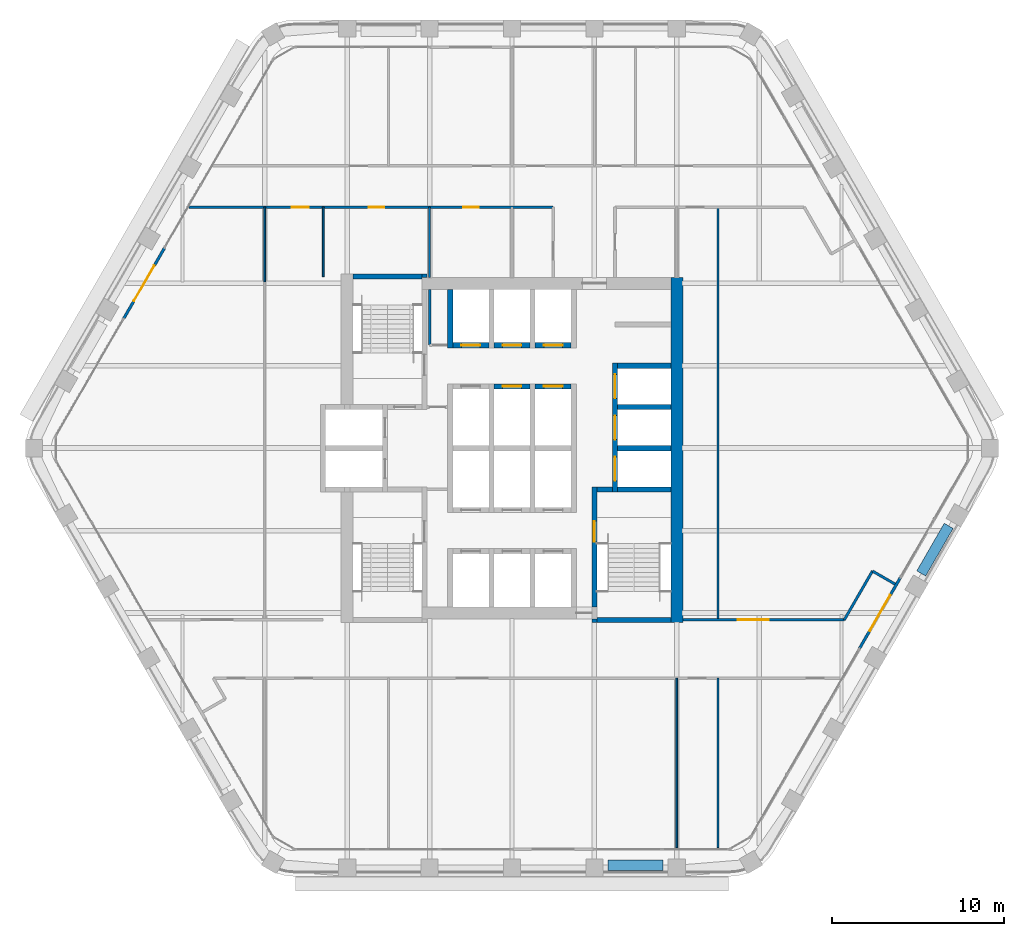
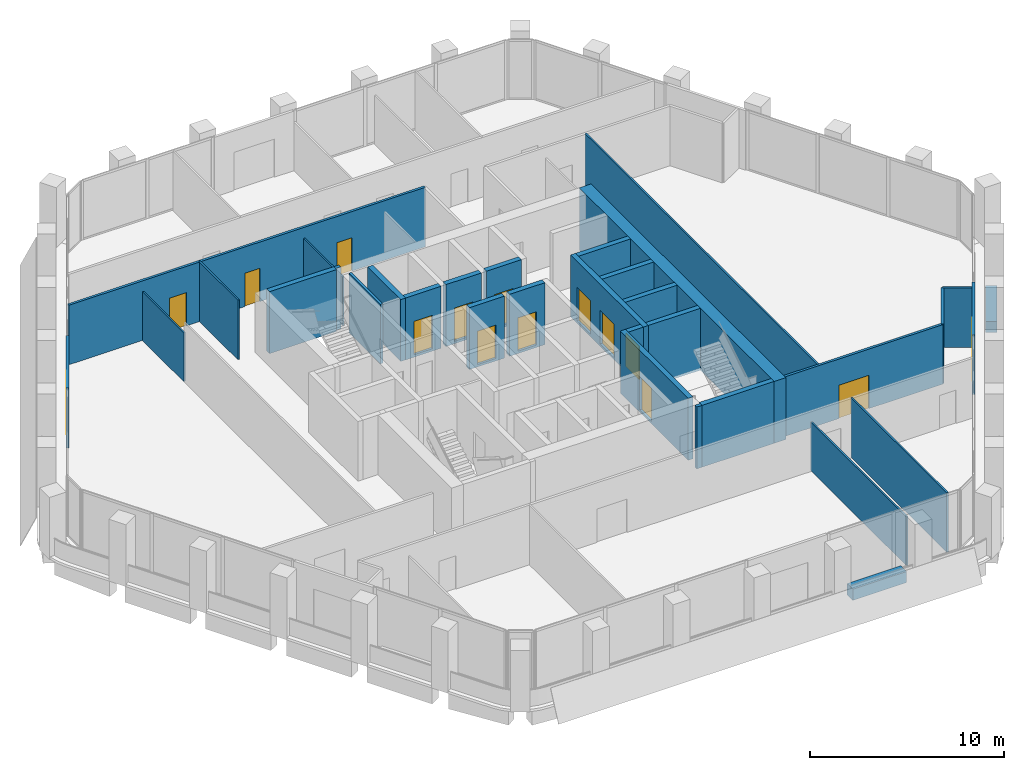
# One storey, part 10 of 15: 33 walls, 15 doors, 15 openings.
"""IFC4 building model written with IfcOpenShell, lengths in metres."""

from ifc_helpers import new_model, si_unit, direction, frame, frame_2d, origin, place, context, subcontext, project, spatial, rectangle, extrude, material, layer, layer_set, type_object, element, fill, save


model = new_model("IFC4")

# Units and contexts
model_context = context("Model", 3, precision=1e-05, world=origin(), true_north=direction((0.0, 1.0)))
body_context = subcontext(model_context, "Body", "Model", "MODEL_VIEW")
ifc_project = project(units=[si_unit("LENGTHUNIT", "METRE"), si_unit("AREAUNIT", "SQUARE_METRE"), si_unit("VOLUMEUNIT", "CUBIC_METRE"), si_unit("PLANEANGLEUNIT", "RADIAN"), si_unit("MASSUNIT", "GRAM", prefix="KILO")], contexts=[model_context])

# Site, building, storey
site_placement = place(None, origin())
site = spatial("IfcSite", under=ifc_project, at=site_placement, CompositionType="ELEMENT")
building_placement = place(site_placement, origin())
building = spatial("IfcBuilding", under=site, at=building_placement, Name="Kolab Exchange Tower", CompositionType="ELEMENT")
storey_placement = place(building_placement, frame((0.0, 0.0, 154.39990234375)))
storey = spatial("IfcBuildingStorey", under=building, at=storey_placement, Name="L31", CompositionType="ELEMENT", Elevation=154.39990234375)

# Wall
ifc_material_1 = material(Name="Concrete C60/75", Category="concrete")
ifc_layer_1 = layer(ifc_material_1, 0.699951171875)
ifc_layer_set_1 = layer_set([ifc_layer_1], Name="Concrete C60/75")
wall_type_1 = type_object("IfcWallType", Name="CORE WALL 700 C60/75", PredefinedType="SHEAR", material=ifc_layer_set_1)
wall_1_placement = place(storey_placement, frame((9.60009765625, -10.14990234375, -0.14990234375), z_axis=(0.0, 0.0, 1.0), x_axis=(0.0, 1.0, 0.0)))
element("IfcWall", 1, at=wall_1_placement, inside=storey, type_object=wall_type_1, Name="wall/L31/core/058", PredefinedType="SHEAR", context=body_context, shape_type="SweptSolid", body=[
    extrude(rectangle(XDim=20.099853515625, YDim=0.699951171875, at=frame_2d((10.0498046875, 0.0))), origin(), (0.0, 0.0, 1.0), 3.89990234375),
])

# Wall, opening, door
ifc_material_2 = material(Name="Aluminium EN AW-6063 T6", Category="aluminium")
ifc_layer_2 = layer(ifc_material_2, 0.159912109375)
ifc_layer_set_2 = layer_set([ifc_layer_2], Name="Aluminium EN AW-6063 T6")
wall_type_2 = type_object("IfcWallType", Name="DOOR SURROUND WALL 160 ALUMINIUM FRAMED", PredefinedType="PARTITIONING", material=ifc_layer_set_2)
wall_2_placement = place(storey_placement, frame((22.61669921875, -7.5498046875, 0.0), z_axis=(0.0, 0.0, 1.0), x_axis=(-0.5000167099, -0.866015756104, 0.0)))
wall_2 = element("IfcWall", 2, at=wall_2_placement, inside=storey, type_object=wall_type_2, Name="Door surround wall", PredefinedType="PARTITIONING", context=body_context, shape_type="SweptSolid", body=[
    extrude(rectangle(XDim=4.739990234375, YDim=0.159912109375, at=frame_2d((2.3701171875, 0.0))), origin(), (0.0, 0.0, 1.0), 3.75),
])
opening_1_placement = place(wall_2_placement, frame((1.169921875, 0.0, 0.0)))
opening_1 = element("IfcOpeningElement", 3, at=opening_1_placement, cuts=wall_2, Name="Opening GD1-066", PredefinedType="OPENING", context=body_context, shape_type="SweptSolid", body=[
    extrude(rectangle(XDim=2.39990234375, YDim=2.39990234375, at=frame_2d((1.199951171875, 1.199951171875))), frame((0.0, 0.08984375, 0.0), z_axis=(0.0, -1.0, 0.0), x_axis=(1.0, 0.0, 0.0)), (0.0, 0.0, 1.0), 0.179931640625),
])
door_type_1 = type_object("IfcDoorType", Name="LOGGIA SLIDING GLASS DOOR 2400 X 2400", OperationType="DOUBLE_DOOR_SINGLE_SWING", PredefinedType="DOOR", material=ifc_material_2)
door_1_placement = place(opening_1_placement, origin())
door_1 = element("IfcDoor", 4, at=door_1_placement, inside=storey, type_object=door_type_1, Name="Loggia door", OperationType="DOUBLE_DOOR_SLIDING", OverallHeight=2.39990234375, OverallWidth=2.39990234375, PredefinedType="DOOR", context=body_context, shape_type="SweptSolid", body=[
    extrude(rectangle(XDim=2.39990234375, YDim=2.39990234375, at=frame_2d((1.199951171875, 1.199951171875))), frame((0.0, 0.02490234375, 0.0), z_axis=(0.0, -1.0, 0.0), x_axis=(1.0, 0.0, 0.0)), (0.0, 0.0, 1.0), 0.050048828125),
])
fill(opening_1, door_1)

wall_3_placement = place(storey_placement, frame((-22.61669921875, 7.5498046875, 0.0), z_axis=(0.0, 0.0, 1.0), x_axis=(0.5000167099, 0.866015756104, 0.0)))
wall_3 = element("IfcWall", 5, at=wall_3_placement, inside=storey, type_object=wall_type_2, Name="Door surround wall", PredefinedType="PARTITIONING", context=body_context, shape_type="SweptSolid", body=[
    extrude(rectangle(XDim=4.739990234375, YDim=0.159912109375, at=frame_2d((2.3701171875, 0.0))), origin(), (0.0, 0.0, 1.0), 3.75),
])
opening_2_placement = place(wall_3_placement, frame((1.169921875, 0.0, 0.0)))
opening_2 = element("IfcOpeningElement", 6, at=opening_2_placement, cuts=wall_3, Name="Opening GD1-069", PredefinedType="OPENING", context=body_context, shape_type="SweptSolid", body=[
    extrude(rectangle(XDim=2.39990234375, YDim=2.39990234375, at=frame_2d((1.199951171875, 1.199951171875))), frame((0.0, 0.08984375, 0.0), z_axis=(0.0, -1.0, 0.0), x_axis=(1.0, 0.0, 0.0)), (0.0, 0.0, 1.0), 0.179931640625),
])
door_2_placement = place(opening_2_placement, origin())
door_2 = element("IfcDoor", 7, at=door_2_placement, inside=storey, type_object=door_type_1, Name="Loggia door", OperationType="DOUBLE_DOOR_SLIDING", OverallHeight=2.39990234375, OverallWidth=2.39990234375, PredefinedType="DOOR", context=body_context, shape_type="SweptSolid", body=[
    extrude(rectangle(XDim=2.39990234375, YDim=2.39990234375, at=frame_2d((1.199951171875, 1.199951171875))), frame((0.0, 0.02490234375, 0.0), z_axis=(0.0, -1.0, 0.0), x_axis=(1.0, 0.0, 0.0)), (0.0, 0.0, 1.0), 0.050048828125),
])
fill(opening_2, door_2)

# Walls
ifc_material_3 = material(Name="Concrete C50/60", Category="concrete")
ifc_layer_3 = layer(ifc_material_3, 0.300048828125)
ifc_layer_set_3 = layer_set([ifc_layer_3], Name="Concrete C50/60")
wall_type_3 = type_object("IfcWallType", Name="LIFT SHAFT WALL 300 C50/60", PredefinedType="STANDARD", material=ifc_layer_set_3)
for number, where, z_axis, x_axis, name in (
    (8, (6.14990234375, 0.0, -0.14990234375), (0.0, 0.0, 1.0), (1.0, 0.0, 0.0), "wall/L31/core/018"),
    (9, (6.14990234375, 2.39990234375, -0.14990234375), (0.0, 0.0, 1.0), (1.0, 0.0, 0.0), "wall/L31/core/022"),
):
    element("IfcWall", number, at=place(storey_placement, frame(where, z_axis=z_axis, x_axis=x_axis)), inside=storey, type_object=wall_type_3, Name=name, PredefinedType="STANDARD", context=body_context, shape_type="SweptSolid", body=[
        extrude(rectangle(XDim=3.10009765625, YDim=0.300048828125, at=frame_2d((1.550048828125, 0.0))), origin(), (0.0, 0.0, 1.0), 3.89990234375),
    ])

# Wall, opening, door
wall_4_placement = place(storey_placement, frame((-1.050048828125, 3.60009765625, -0.14990234375), z_axis=(0.0, 0.0, 1.0), x_axis=(1.0, 0.0, 0.0)))
wall_4 = element("IfcWall", 10, at=wall_4_placement, inside=storey, type_object=wall_type_3, Name="wall/L31/core/024", PredefinedType="STANDARD", context=body_context, shape_type="SweptSolid", body=[
    extrude(rectangle(XDim=2.10009765625, YDim=0.300048828125, at=frame_2d((1.050048828125, 0.0))), origin(), (0.0, 0.0, 1.0), 3.89990234375),
])
opening_3_placement = place(wall_4_placement, frame((0.5, 0.0, 0.14990234375)))
opening_3 = element("IfcOpeningElement", 11, at=opening_3_placement, cuts=wall_4, Name="Opening LD1-116", PredefinedType="OPENING", context=body_context, shape_type="SweptSolid", body=[
    extrude(rectangle(XDim=1.10009765625, YDim=2.10009765625, at=frame_2d((0.550048828125, 1.050048828125))), frame((0.0, 0.16015625, 0.0), z_axis=(0.0, -1.0, 0.0), x_axis=(1.0, 0.0, 0.0)), (0.0, 0.0, 1.0), 0.320068359375),
])
ifc_material_4 = material(Name="Stainless steel 316", Category="steel")
door_type_2 = type_object("IfcDoorType", Name="LANDING DOOR 1100 PASSENGER", OperationType="DOUBLE_DOOR_SLIDING", PredefinedType="DOOR", material=ifc_material_4)
door_3_placement = place(opening_3_placement, origin())
door_3 = element("IfcDoor", 12, at=door_3_placement, inside=storey, type_object=door_type_2, Name="Landing door HR5", OperationType="DOUBLE_DOOR_SLIDING", OverallHeight=2.10009765625, OverallWidth=1.10009765625, PredefinedType="DOOR", context=body_context, shape_type="SweptSolid", body=[
    extrude(rectangle(XDim=1.10009765625, YDim=2.10009765625, at=frame_2d((0.550048828125, 1.050048828125))), frame((0.0, 0.02490234375, 0.0), z_axis=(0.0, -1.0, 0.0), x_axis=(1.0, 0.0, 0.0)), (0.0, 0.0, 1.0), 0.050048828125),
])
fill(opening_3, door_3)

wall_5_placement = place(storey_placement, frame((1.35009765625, 3.60009765625, -0.14990234375), z_axis=(0.0, 0.0, 1.0), x_axis=(1.0, 0.0, 0.0)))
wall_5 = element("IfcWall", 13, at=wall_5_placement, inside=storey, type_object=wall_type_3, Name="wall/L31/core/025", PredefinedType="STANDARD", context=body_context, shape_type="SweptSolid", body=[
    extrude(rectangle(XDim=2.099853515625, YDim=0.300048828125, at=frame_2d((1.0498046875, 0.0))), origin(), (0.0, 0.0, 1.0), 3.89990234375),
])
opening_4_placement = place(wall_5_placement, frame((0.5, 0.0, 0.14990234375)))
opening_4 = element("IfcOpeningElement", 14, at=opening_4_placement, cuts=wall_5, Name="Opening LD1-117", PredefinedType="OPENING", context=body_context, shape_type="SweptSolid", body=[
    extrude(rectangle(XDim=1.10009765625, YDim=2.10009765625, at=frame_2d((0.550048828125, 1.050048828125))), frame((0.0, 0.16015625, 0.0), z_axis=(0.0, -1.0, 0.0), x_axis=(1.0, 0.0, 0.0)), (0.0, 0.0, 1.0), 0.320068359375),
])
door_4_placement = place(opening_4_placement, origin())
door_4 = element("IfcDoor", 15, at=door_4_placement, inside=storey, type_object=door_type_2, Name="Landing door HR6", OperationType="DOUBLE_DOOR_SLIDING", OverallHeight=2.10009765625, OverallWidth=1.10009765625, PredefinedType="DOOR", context=body_context, shape_type="SweptSolid", body=[
    extrude(rectangle(XDim=1.10009765625, YDim=2.10009765625, at=frame_2d((0.550048828125, 1.050048828125))), frame((0.0, 0.02490234375, 0.0), z_axis=(0.0, -1.0, 0.0), x_axis=(1.0, 0.0, 0.0)), (0.0, 0.0, 1.0), 0.050048828125),
])
fill(opening_4, door_4)

# Wall
wall_6_placement = place(storey_placement, frame((6.14990234375, 4.800048828125, -0.14990234375), z_axis=(0.0, 0.0, 1.0), x_axis=(1.0, 0.0, 0.0)))
element("IfcWall", 16, at=wall_6_placement, inside=storey, type_object=wall_type_3, Name="wall/L31/core/026", PredefinedType="STANDARD", context=body_context, shape_type="SweptSolid", body=[
    extrude(rectangle(XDim=3.10009765625, YDim=0.300048828125, at=frame_2d((1.550048828125, 0.0))), origin(), (0.0, 0.0, 1.0), 3.89990234375),
])

# Wall, opening, door
wall_7_placement = place(storey_placement, frame((-3.449951171875, 6.0, -0.14990234375), z_axis=(0.0, 0.0, 1.0), x_axis=(1.0, 0.0, 0.0)))
wall_7 = element("IfcWall", 17, at=wall_7_placement, inside=storey, type_object=wall_type_3, Name="wall/L31/core/027", PredefinedType="STANDARD", context=body_context, shape_type="SweptSolid", body=[
    extrude(rectangle(XDim=2.099853515625, YDim=0.300048828125, at=frame_2d((1.0498046875, 0.0))), origin(), (0.0, 0.0, 1.0), 3.89990234375),
])
opening_5_placement = place(wall_7_placement, frame((0.5, 0.0, 0.14990234375)))
opening_5 = element("IfcOpeningElement", 18, at=opening_5_placement, cuts=wall_7, Name="Opening LD1-109", PredefinedType="OPENING", context=body_context, shape_type="SweptSolid", body=[
    extrude(rectangle(XDim=1.10009765625, YDim=2.10009765625, at=frame_2d((0.550048828125, 1.050048828125))), frame((0.0, 0.16015625, 0.0), z_axis=(0.0, -1.0, 0.0), x_axis=(1.0, 0.0, 0.0)), (0.0, 0.0, 1.0), 0.320068359375),
])
door_5_placement = place(opening_5_placement, origin())
door_5 = element("IfcDoor", 19, at=door_5_placement, inside=storey, type_object=door_type_2, Name="Landing door HR1", OperationType="DOUBLE_DOOR_SLIDING", OverallHeight=2.10009765625, OverallWidth=1.10009765625, PredefinedType="DOOR", context=body_context, shape_type="SweptSolid", body=[
    extrude(rectangle(XDim=1.10009765625, YDim=2.10009765625, at=frame_2d((0.550048828125, 1.050048828125))), frame((0.0, 0.02490234375, 0.0), z_axis=(0.0, -1.0, 0.0), x_axis=(1.0, 0.0, 0.0)), (0.0, 0.0, 1.0), 0.050048828125),
])
fill(opening_5, door_5)

wall_8_placement = place(storey_placement, frame((-1.050048828125, 6.0, -0.14990234375), z_axis=(0.0, 0.0, 1.0), x_axis=(1.0, 0.0, 0.0)))
wall_8 = element("IfcWall", 20, at=wall_8_placement, inside=storey, type_object=wall_type_3, Name="wall/L31/core/028", PredefinedType="STANDARD", context=body_context, shape_type="SweptSolid", body=[
    extrude(rectangle(XDim=2.10009765625, YDim=0.300048828125, at=frame_2d((1.050048828125, 0.0))), origin(), (0.0, 0.0, 1.0), 3.89990234375),
])
opening_6_placement = place(wall_8_placement, frame((0.5, 0.0, 0.14990234375)))
opening_6 = element("IfcOpeningElement", 21, at=opening_6_placement, cuts=wall_8, Name="Opening LD1-113", PredefinedType="OPENING", context=body_context, shape_type="SweptSolid", body=[
    extrude(rectangle(XDim=1.10009765625, YDim=2.10009765625, at=frame_2d((0.550048828125, 1.050048828125))), frame((0.0, 0.16015625, 0.0), z_axis=(0.0, -1.0, 0.0), x_axis=(1.0, 0.0, 0.0)), (0.0, 0.0, 1.0), 0.320068359375),
])
door_6_placement = place(opening_6_placement, origin())
door_6 = element("IfcDoor", 22, at=door_6_placement, inside=storey, type_object=door_type_2, Name="Landing door HR2", OperationType="DOUBLE_DOOR_SLIDING", OverallHeight=2.10009765625, OverallWidth=1.10009765625, PredefinedType="DOOR", context=body_context, shape_type="SweptSolid", body=[
    extrude(rectangle(XDim=1.10009765625, YDim=2.10009765625, at=frame_2d((0.550048828125, 1.050048828125))), frame((0.0, 0.02490234375, 0.0), z_axis=(0.0, -1.0, 0.0), x_axis=(1.0, 0.0, 0.0)), (0.0, 0.0, 1.0), 0.050048828125),
])
fill(opening_6, door_6)

wall_9_placement = place(storey_placement, frame((1.35009765625, 6.0, -0.14990234375), z_axis=(0.0, 0.0, 1.0), x_axis=(1.0, 0.0, 0.0)))
wall_9 = element("IfcWall", 23, at=wall_9_placement, inside=storey, type_object=wall_type_3, Name="wall/L31/core/029", PredefinedType="STANDARD", context=body_context, shape_type="SweptSolid", body=[
    extrude(rectangle(XDim=2.099853515625, YDim=0.300048828125, at=frame_2d((1.0498046875, 0.0))), origin(), (0.0, 0.0, 1.0), 3.89990234375),
])
opening_7_placement = place(wall_9_placement, frame((0.5, 0.0, 0.14990234375)))
opening_7 = element("IfcOpeningElement", 24, at=opening_7_placement, cuts=wall_9, Name="Opening LD1-114", PredefinedType="OPENING", context=body_context, shape_type="SweptSolid", body=[
    extrude(rectangle(XDim=1.10009765625, YDim=2.10009765625, at=frame_2d((0.550048828125, 1.050048828125))), frame((0.0, 0.16015625, 0.0), z_axis=(0.0, -1.0, 0.0), x_axis=(1.0, 0.0, 0.0)), (0.0, 0.0, 1.0), 0.320068359375),
])
door_7_placement = place(opening_7_placement, origin())
door_7 = element("IfcDoor", 25, at=door_7_placement, inside=storey, type_object=door_type_2, Name="Landing door HR3", OperationType="DOUBLE_DOOR_SLIDING", OverallHeight=2.10009765625, OverallWidth=1.10009765625, PredefinedType="DOOR", context=body_context, shape_type="SweptSolid", body=[
    extrude(rectangle(XDim=1.10009765625, YDim=2.10009765625, at=frame_2d((0.550048828125, 1.050048828125))), frame((0.0, 0.02490234375, 0.0), z_axis=(0.0, -1.0, 0.0), x_axis=(1.0, 0.0, 0.0)), (0.0, 0.0, 1.0), 0.050048828125),
])
fill(opening_7, door_7)

# Wall
wall_10_placement = place(storey_placement, frame((-3.60009765625, 5.85009765625, -0.14990234375), z_axis=(0.0, 0.0, 1.0), x_axis=(0.0, 1.0, 0.0)))
element("IfcWall", 26, at=wall_10_placement, inside=storey, type_object=wall_type_3, Name="wall/L31/core/045", PredefinedType="STANDARD", context=body_context, shape_type="SweptSolid", body=[
    extrude(rectangle(XDim=3.39990234375, YDim=0.300048828125, at=frame_2d((1.699951171875, 0.0))), origin(), (0.0, 0.0, 1.0), 3.89990234375),
])

# Wall, openings, doors
wall_11_placement = place(storey_placement, frame((6.0, -2.550048828125, -0.14990234375), z_axis=(0.0, 0.0, 1.0), x_axis=(0.0, 1.0, 0.0)))
wall_11 = element("IfcWall", 27, at=wall_11_placement, inside=storey, type_object=wall_type_3, Name="wall/L31/core/057", PredefinedType="STANDARD", context=body_context, shape_type="SweptSolid", body=[
    extrude(rectangle(XDim=7.5, YDim=0.300048828125, at=frame_2d((3.75, 0.0))), origin(), (0.0, 0.0, 1.0), 3.89990234375),
])
opening_8_placement = place(wall_11_placement, frame((0.64990234375, 0.0, 0.14990234375)))
opening_8 = element("IfcOpeningElement", 28, at=opening_8_placement, cuts=wall_11, Name="Opening LD3-037", PredefinedType="OPENING", context=body_context, shape_type="SweptSolid", body=[
    extrude(rectangle(XDim=1.39990234375, YDim=2.10009765625, at=frame_2d((0.699951171875, 1.050048828125))), frame((0.0, 0.16015625, 0.0), z_axis=(0.0, -1.0, 0.0), x_axis=(1.0, 0.0, 0.0)), (0.0, 0.0, 1.0), 0.320068359375),
])
opening_9_placement = place(wall_11_placement, frame((3.050048828125, 0.0, 0.14990234375)))
opening_9 = element("IfcOpeningElement", 29, at=opening_9_placement, cuts=wall_11, Name="Opening LD3-038", PredefinedType="OPENING", context=body_context, shape_type="SweptSolid", body=[
    extrude(rectangle(XDim=1.39990234375, YDim=2.10009765625, at=frame_2d((0.699951171875, 1.050048828125))), frame((0.0, 0.16015625, 0.0), z_axis=(0.0, -1.0, 0.0), x_axis=(1.0, 0.0, 0.0)), (0.0, 0.0, 1.0), 0.320068359375),
])
opening_10_placement = place(wall_11_placement, frame((5.449951171875, 0.0, 0.14990234375)))
opening_10 = element("IfcOpeningElement", 30, at=opening_10_placement, cuts=wall_11, Name="Opening LD3-039", PredefinedType="OPENING", context=body_context, shape_type="SweptSolid", body=[
    extrude(rectangle(XDim=1.39990234375, YDim=2.10009765625, at=frame_2d((0.699951171875, 1.050048828125))), frame((0.0, 0.16015625, 0.0), z_axis=(0.0, -1.0, 0.0), x_axis=(1.0, 0.0, 0.0)), (0.0, 0.0, 1.0), 0.320068359375),
])
door_type_3 = type_object("IfcDoorType", Name="LANDING DOOR 1400 SERVICE", OperationType="DOUBLE_DOOR_SLIDING", PredefinedType="DOOR", material=ifc_material_4)
door_8_placement = place(opening_8_placement, origin())
door_8 = element("IfcDoor", 31, at=door_8_placement, inside=storey, type_object=door_type_3, Name="Landing door SV1", OperationType="DOUBLE_DOOR_SLIDING", OverallHeight=2.10009765625, OverallWidth=1.39990234375, PredefinedType="DOOR", context=body_context, shape_type="SweptSolid", body=[
    extrude(rectangle(XDim=1.39990234375, YDim=2.10009765625, at=frame_2d((0.699951171875, 1.050048828125))), frame((0.0, 0.02490234375, 0.0), z_axis=(0.0, -1.0, 0.0), x_axis=(1.0, 0.0, 0.0)), (0.0, 0.0, 1.0), 0.050048828125),
])
fill(opening_8, door_8)
door_9_placement = place(opening_9_placement, origin())
door_9 = element("IfcDoor", 32, at=door_9_placement, inside=storey, type_object=door_type_3, Name="Landing door SV2", OperationType="DOUBLE_DOOR_SLIDING", OverallHeight=2.10009765625, OverallWidth=1.39990234375, PredefinedType="DOOR", context=body_context, shape_type="SweptSolid", body=[
    extrude(rectangle(XDim=1.39990234375, YDim=2.10009765625, at=frame_2d((0.699951171875, 1.050048828125))), frame((0.0, 0.02490234375, 0.0), z_axis=(0.0, -1.0, 0.0), x_axis=(1.0, 0.0, 0.0)), (0.0, 0.0, 1.0), 0.050048828125),
])
fill(opening_9, door_9)
door_10_placement = place(opening_10_placement, origin())
door_10 = element("IfcDoor", 33, at=door_10_placement, inside=storey, type_object=door_type_3, Name="Landing door SV3", OperationType="DOUBLE_DOOR_SLIDING", OverallHeight=2.10009765625, OverallWidth=1.39990234375, PredefinedType="DOOR", context=body_context, shape_type="SweptSolid", body=[
    extrude(rectangle(XDim=1.39990234375, YDim=2.10009765625, at=frame_2d((0.699951171875, 1.050048828125))), frame((0.0, 0.02490234375, 0.0), z_axis=(0.0, -1.0, 0.0), x_axis=(1.0, 0.0, 0.0)), (0.0, 0.0, 1.0), 0.050048828125),
])
fill(opening_10, door_10)

# Walls
ifc_material_5 = material(Name="Gypsum board", Category="gypsum")
ifc_layer_4 = layer(ifc_material_5, 0.10009765625)
ifc_layer_set_4 = layer_set([ifc_layer_4], Name="Gypsum board")
wall_type_4 = type_object("IfcWallType", Name="PARTITION 100", PredefinedType="PARTITIONING", material=ifc_layer_set_4)
wall_12_placement = place(storey_placement, frame((12.0, -23.271484375, 0.0), z_axis=(0.0, 0.0, 1.0), x_axis=(0.0, 1.0, 0.0)))
element("IfcWall", 34, at=wall_12_placement, inside=storey, type_object=wall_type_4, Name="Partition 000", PredefinedType="PARTITIONING", context=body_context, shape_type="SweptSolid", body=[
    extrude(rectangle(XDim=9.87158203125, YDim=0.10009765625, at=frame_2d((4.935791015625, 0.0))), origin(), (0.0, 0.0, 1.0), 3.75),
])
wall_13_placement = place(storey_placement, frame((12.0, -10.0, 0.0), z_axis=(0.0, 0.0, 1.0), x_axis=(0.0, 1.0, 0.0)))
element("IfcWall", 35, at=wall_13_placement, inside=storey, type_object=wall_type_4, Name="Partition 001", PredefinedType="PARTITIONING", context=body_context, shape_type="SweptSolid", body=[
    extrude(rectangle(XDim=24.04150390625, YDim=0.10009765625, at=frame_2d((12.020751953125, 0.0))), origin(), (0.0, 0.0, 1.0), 3.75),
])
wall_14_placement = place(storey_placement, frame((9.60009765625, -23.271484375, 0.0), z_axis=(0.0, 0.0, 1.0), x_axis=(0.0, 1.0, 0.0)))
element("IfcWall", 36, at=wall_14_placement, inside=storey, type_object=wall_type_4, Name="Partition 002", PredefinedType="PARTITIONING", context=body_context, shape_type="SweptSolid", body=[
    extrude(rectangle(XDim=9.87158203125, YDim=0.10009765625, at=frame_2d((4.935791015625, 0.0))), origin(), (0.0, 0.0, 1.0), 3.066162109375),
])
wall_15_placement = place(storey_placement, frame((-4.800048828125, 9.949951171875, 0.0), z_axis=(0.0, 0.0, 1.0), x_axis=(0.0, 1.0, 0.0)))
element("IfcWall", 37, at=wall_15_placement, inside=storey, type_object=wall_type_4, Name="Partition 010", PredefinedType="PARTITIONING", context=body_context, shape_type="SweptSolid", body=[
    extrude(rectangle(XDim=4.091552734375, YDim=0.10009765625, at=frame_2d((2.0458984375, 0.0))), origin(), (0.0, 0.0, 1.0), 3.066162109375),
])
wall_16_placement = place(storey_placement, frame((-11.0, 10.0, 0.0), z_axis=(0.0, 0.0, 1.0), x_axis=(0.0, 1.0, 0.0)))
element("IfcWall", 38, at=wall_16_placement, inside=storey, type_object=wall_type_4, Name="Partition 014", PredefinedType="PARTITIONING", context=body_context, shape_type="SweptSolid", body=[
    extrude(rectangle(XDim=4.04150390625, YDim=0.10009765625, at=frame_2d((2.020751953125, 0.0))), origin(), (0.0, 0.0, 1.0), 3.75),
])
wall_17_placement = place(storey_placement, frame((-14.39990234375, 9.693603515625, 0.0), z_axis=(0.0, 0.0, 1.0), x_axis=(0.0, 1.0, 0.0)))
element("IfcWall", 39, at=wall_17_placement, inside=storey, type_object=wall_type_4, Name="Partition 016", PredefinedType="PARTITIONING", context=body_context, shape_type="SweptSolid", body=[
    extrude(rectangle(XDim=4.347900390625, YDim=0.10009765625, at=frame_2d((2.173828125, 0.0))), origin(), (0.0, 0.0, 1.0), 3.066162109375),
])
ifc_layer_5 = layer(ifc_material_5, 0.14990234375)
ifc_layer_set_5 = layer_set([ifc_layer_5], Name="Gypsum board")
wall_type_5 = type_object("IfcWallType", Name="PARTITION 150 FIRE-RATED", PredefinedType="PARTITIONING", material=ifc_layer_set_5)
wall_18_placement = place(storey_placement, frame((-4.800048828125, 6.0, 0.0), z_axis=(0.0, 0.0, 1.0), x_axis=(0.0, 1.0, 0.0)))
element("IfcWall", 40, at=wall_18_placement, inside=storey, type_object=wall_type_5, Name="Partition 011", PredefinedType="PARTITIONING", context=body_context, shape_type="SweptSolid", body=[
    extrude(rectangle(XDim=3.25, YDim=0.14990234375, at=frame_2d((1.625, 0.0))), origin(), (0.0, 0.0, 1.0), 3.75),
])
wall_19_placement = place(storey_placement, frame((19.3544921875, -10.0, 0.0), z_axis=(0.0, 0.0, 1.0), x_axis=(0.500009969958, 0.86601964755, 0.0)))
element("IfcWall", 41, at=wall_19_placement, inside=storey, type_object=wall_type_5, Name="Partition 019", PredefinedType="PARTITIONING", context=body_context, shape_type="SweptSolid", body=[
    extrude(rectangle(XDim=3.283203125, YDim=0.14990234375, at=frame_2d((1.6416015625, 0.0))), origin(), (0.0, 0.0, 1.0), 3.75),
])
wall_20_placement = place(storey_placement, frame((20.99609375, -7.15673828125, 0.0), z_axis=(0.0, 0.0, 1.0), x_axis=(0.865960906633, -0.500111695708, 0.0)))
element("IfcWall", 42, at=wall_20_placement, inside=storey, type_object=wall_type_5, Name="Partition 020", PredefinedType="PARTITIONING", context=body_context, shape_type="SweptSolid", body=[
    extrude(rectangle(XDim=1.520263671875, YDim=0.14990234375, at=frame_2d((0.76025390625, 0.0))), origin(), (0.0, 0.0, 1.0), 3.75),
])

# Wall, opening, door
wall_21_placement = place(storey_placement, frame((9.949951171875, -10.0, 0.0), z_axis=(0.0, 0.0, 1.0), x_axis=(1.0, 0.0, 0.0)))
wall_21 = element("IfcWall", 43, at=wall_21_placement, inside=storey, type_object=wall_type_5, Name="Partition 025", PredefinedType="PARTITIONING", context=body_context, shape_type="SweptSolid", body=[
    extrude(rectangle(XDim=9.404541015625, YDim=0.14990234375, at=frame_2d((4.7021484375, 0.0))), origin(), (0.0, 0.0, 1.0), 3.75),
])
opening_11_placement = place(wall_21_placement, frame((3.1982421875, 0.0, 0.0)))
opening_11 = element("IfcOpeningElement", 44, at=opening_11_placement, cuts=wall_21, Name="Opening D2-046", PredefinedType="OPENING", context=body_context, shape_type="SweptSolid", body=[
    extrude(rectangle(XDim=1.800048828125, YDim=2.10009765625, at=frame_2d((0.89990234375, 1.050048828125))), frame((0.0, 0.0849609375, 0.0), z_axis=(0.0, -1.0, 0.0), x_axis=(1.0, 0.0, 0.0)), (0.0, 0.0, 1.0), 0.169921875),
])
ifc_material_6 = material(Name="Steel S235", Category="steel")
door_type_4 = type_object("IfcDoorType", Name="DOUBLE DOOR 1800 FD60", OperationType="DOUBLE_DOOR_SINGLE_SWING", PredefinedType="DOOR", material=ifc_material_6)
door_11_placement = place(opening_11_placement, origin())
door_11 = element("IfcDoor", 45, at=door_11_placement, inside=storey, type_object=door_type_4, Name="Door L31-044", OperationType="SINGLE_SWING_LEFT", OverallHeight=2.10009765625, OverallWidth=1.800048828125, PredefinedType="DOOR", context=body_context, shape_type="SweptSolid", body=[
    extrude(rectangle(XDim=1.800048828125, YDim=2.10009765625, at=frame_2d((0.89990234375, 1.050048828125))), frame((0.0, 0.02490234375, 0.0), z_axis=(0.0, -1.0, 0.0), x_axis=(1.0, 0.0, 0.0)), (0.0, 0.0, 1.0), 0.050048828125),
])
fill(opening_11, door_11)

# Wall, openings, doors
wall_22_placement = place(storey_placement, frame((-18.822509765625, 14.04150390625, 0.0), z_axis=(0.0, 0.0, 1.0), x_axis=(1.0, 0.0, 0.0)))
wall_22 = element("IfcWall", 46, at=wall_22_placement, inside=storey, type_object=wall_type_5, Name="Partition 027", PredefinedType="PARTITIONING", context=body_context, shape_type="SweptSolid", body=[
    extrude(rectangle(XDim=21.222412109375, YDim=0.14990234375, at=frame_2d((10.611328125, 0.0))), origin(), (0.0, 0.0, 1.0), 3.75),
])
opening_12_placement = place(wall_22_placement, frame((10.472412109375, 0.0, 0.0)))
opening_12 = element("IfcOpeningElement", 47, at=opening_12_placement, cuts=wall_22, Name="Opening D3-046", PredefinedType="OPENING", context=body_context, shape_type="SweptSolid", body=[
    extrude(rectangle(XDim=0.89990234375, YDim=2.10009765625, at=frame_2d((0.449951171875, 1.050048828125))), frame((0.0, 0.0849609375, 0.0), z_axis=(0.0, -1.0, 0.0), x_axis=(1.0, 0.0, 0.0)), (0.0, 0.0, 1.0), 0.169921875),
])
opening_13_placement = place(wall_22_placement, frame((15.972412109375, 0.0, 0.0)))
opening_13 = element("IfcOpeningElement", 48, at=opening_13_placement, cuts=wall_22, Name="Opening D3-047", PredefinedType="OPENING", context=body_context, shape_type="SweptSolid", body=[
    extrude(rectangle(XDim=0.89990234375, YDim=2.10009765625, at=frame_2d((0.449951171875, 1.050048828125))), frame((0.0, 0.0849609375, 0.0), z_axis=(0.0, -1.0, 0.0), x_axis=(1.0, 0.0, 0.0)), (0.0, 0.0, 1.0), 0.169921875),
])
opening_14_placement = place(wall_22_placement, frame((5.99755859375, 0.0, 0.0)))
opening_14 = element("IfcOpeningElement", 49, at=opening_14_placement, cuts=wall_22, Name="Opening D1-458", PredefinedType="OPENING", context=body_context, shape_type="SweptSolid", body=[
    extrude(rectangle(XDim=1.0, YDim=2.10009765625, at=frame_2d((0.5, 1.050048828125))), frame((0.0, 0.0849609375, 0.0), z_axis=(0.0, -1.0, 0.0), x_axis=(1.0, 0.0, 0.0)), (0.0, 0.0, 1.0), 0.169921875),
])
door_type_5 = type_object("IfcDoorType", Name="FLUSH DOOR 1000 FD60", OperationType="SINGLE_SWING_LEFT", PredefinedType="DOOR", material=ifc_material_6)
door_12_placement = place(opening_14_placement, frame((1.0, 0.0, 0.0), z_axis=(0.0, 0.0, 1.0), x_axis=(-1.0, 0.0, 0.0)))
door_12 = element("IfcDoor", 50, at=door_12_placement, inside=storey, type_object=door_type_5, Name="Door L31-046", OperationType="SINGLE_SWING_RIGHT", OverallHeight=2.10009765625, OverallWidth=1.0, PredefinedType="DOOR", context=body_context, shape_type="SweptSolid", body=[
    extrude(rectangle(XDim=1.0, YDim=2.10009765625, at=frame_2d((0.5, 1.050048828125))), frame((0.0, 0.02490234375, 0.0), z_axis=(0.0, -1.0, 0.0), x_axis=(1.0, 0.0, 0.0)), (0.0, 0.0, 1.0), 0.050048828125),
])
fill(opening_14, door_12)
door_type_6 = type_object("IfcDoorType", Name="FLUSH DOOR 900 FD60", OperationType="SINGLE_SWING_LEFT", PredefinedType="DOOR", material=ifc_material_6)
door_13_placement = place(opening_12_placement, frame((0.89990234375, 0.0, 0.0), z_axis=(0.0, 0.0, 1.0), x_axis=(-1.0, 0.0, 0.0)))
door_13 = element("IfcDoor", 51, at=door_13_placement, inside=storey, type_object=door_type_6, Name="Door L31-030", OperationType="SINGLE_SWING_LEFT", OverallHeight=2.10009765625, OverallWidth=0.89990234375, PredefinedType="DOOR", context=body_context, shape_type="SweptSolid", body=[
    extrude(rectangle(XDim=0.89990234375, YDim=2.10009765625, at=frame_2d((0.449951171875, 1.050048828125))), frame((0.0, 0.02490234375, 0.0), z_axis=(0.0, -1.0, 0.0), x_axis=(1.0, 0.0, 0.0)), (0.0, 0.0, 1.0), 0.050048828125),
])
fill(opening_12, door_13)
door_14_placement = place(opening_13_placement, frame((0.89990234375, 0.0, 0.0), z_axis=(0.0, 0.0, 1.0), x_axis=(-1.0, 0.0, 0.0)))
door_14 = element("IfcDoor", 52, at=door_14_placement, inside=storey, type_object=door_type_6, Name="Door L31-031", OperationType="SINGLE_SWING_LEFT", OverallHeight=2.10009765625, OverallWidth=0.89990234375, PredefinedType="DOOR", context=body_context, shape_type="SweptSolid", body=[
    extrude(rectangle(XDim=0.89990234375, YDim=2.10009765625, at=frame_2d((0.449951171875, 1.050048828125))), frame((0.0, 0.02490234375, 0.0), z_axis=(0.0, -1.0, 0.0), x_axis=(1.0, 0.0, 0.0)), (0.0, 0.0, 1.0), 0.050048828125),
])
fill(opening_13, door_14)

# Walls
ifc_material_7 = material(Name="Granite facing", Category="masonry")
ifc_layer_6 = layer(ifc_material_7, 0.0400390625)
ifc_material_8 = material(Name="Concrete C40/50 precast", Category="concrete")
ifc_layer_7 = layer(ifc_material_8, 0.56005859375)
ifc_layer_set_6 = layer_set([ifc_layer_6, ifc_layer_7], Name="Concrete C40/50 precast")
wall_type_6 = type_object("IfcWallType", Name="PLANTER BOX 600 X 700 SOIL DEPTH 550", PredefinedType="USERDEFINED", material=ifc_layer_set_6)
wall_23_placement = place(storey_placement, frame((25.43701171875, -4.524658203125, 0.0), z_axis=(0.0, 0.0, 1.0), x_axis=(-0.499938187974, -0.866061088033, 0.0)))
element("IfcWall", 53, at=wall_23_placement, inside=storey, type_object=wall_type_6, Name="Planter", ObjectType="PLANTER", PredefinedType="USERDEFINED", context=body_context, shape_type="SweptSolid", body=[
    extrude(rectangle(XDim=3.2001953125, YDim=0.60009765625, at=frame_2d((1.60009765625, 0.0))), origin(), (0.0, 0.0, 1.0), 0.7001953125),
])
wall_24_placement = place(storey_placement, frame((8.800048828125, -24.29150390625, 0.0), z_axis=(0.0, 0.0, 1.0), x_axis=(-1.0, 0.0, 0.0)))
element("IfcWall", 54, at=wall_24_placement, inside=storey, type_object=wall_type_6, Name="Planter", ObjectType="PLANTER", PredefinedType="USERDEFINED", context=body_context, shape_type="SweptSolid", body=[
    extrude(rectangle(XDim=3.199951171875, YDim=0.60009765625, at=frame_2d((1.60009765625, 0.0))), origin(), (0.0, 0.0, 1.0), 0.7001953125),
])
ifc_layer_8 = layer(ifc_material_3, 0.300048828125)
ifc_layer_set_7 = layer_set([ifc_layer_8], Name="Concrete C50/60")
wall_type_7 = type_object("IfcWallType", Name="STAIR ENCLOSURE WALL 300 C50/60", PredefinedType="STANDARD", material=ifc_layer_set_7)
wall_25_placement = place(storey_placement, frame((4.949951171875, -10.0, -0.14990234375), z_axis=(0.0, 0.0, 1.0), x_axis=(1.0, 0.0, 0.0)))
element("IfcWall", 55, at=wall_25_placement, inside=storey, type_object=wall_type_7, Name="wall/L31/core/001", PredefinedType="STANDARD", context=body_context, shape_type="SweptSolid", body=[
    extrude(rectangle(XDim=4.300048828125, YDim=0.300048828125, at=frame_2d((2.14990234375, 0.0))), origin(), (0.0, 0.0, 1.0), 3.89990234375),
])
wall_26_placement = place(storey_placement, frame((4.949951171875, -2.39990234375, -0.14990234375), z_axis=(0.0, 0.0, 1.0), x_axis=(1.0, 0.0, 0.0)))
element("IfcWall", 56, at=wall_26_placement, inside=storey, type_object=wall_type_7, Name="wall/L31/core/012", PredefinedType="STANDARD", context=body_context, shape_type="SweptSolid", body=[
    extrude(rectangle(XDim=0.900146484375, YDim=0.300048828125, at=frame_2d((0.4501953125, 0.0))), origin(), (0.0, 0.0, 1.0), 3.89990234375),
])
wall_27_placement = place(storey_placement, frame((6.14990234375, -2.39990234375, -0.14990234375), z_axis=(0.0, 0.0, 1.0), x_axis=(1.0, 0.0, 0.0)))
element("IfcWall", 57, at=wall_27_placement, inside=storey, type_object=wall_type_7, Name="wall/L31/core/013", PredefinedType="STANDARD", context=body_context, shape_type="SweptSolid", body=[
    extrude(rectangle(XDim=3.10009765625, YDim=0.300048828125, at=frame_2d((1.550048828125, 0.0))), origin(), (0.0, 0.0, 1.0), 3.89990234375),
])
wall_28_placement = place(storey_placement, frame((-9.25, 10.0, -0.14990234375), z_axis=(0.0, 0.0, 1.0), x_axis=(1.0, 0.0, 0.0)))
element("IfcWall", 58, at=wall_28_placement, inside=storey, type_object=wall_type_7, Name="wall/L31/core/032", PredefinedType="STANDARD", context=body_context, shape_type="SweptSolid", body=[
    extrude(rectangle(XDim=4.0, YDim=0.300048828125, at=frame_2d((2.0, 0.0))), origin(), (0.0, 0.0, 1.0), 3.89990234375),
])
for number, where, z_axis, x_axis, name in (
    (59, (-5.10009765625, 9.949951171875, -0.14990234375), (0.0, 0.0, 1.0), (0.0, 1.0, 0.0), "wall/L31/core/042"),
    (60, (4.800048828125, -10.14990234375, -0.14990234375), (0.0, 0.0, 1.0), (0.0, 1.0, 0.0), "wall/L31/core/055"),
):
    element("IfcWall", number, at=place(storey_placement, frame(where, z_axis=z_axis, x_axis=x_axis)), inside=storey, type_object=wall_type_7, Name=name, PredefinedType="STANDARD", context=body_context, shape_type="SweptSolid", body=[
        extrude(rectangle(XDim=0.199951171875, YDim=0.300048828125, at=frame_2d((0.10009765625, 0.0))), origin(), (0.0, 0.0, 1.0), 3.89990234375),
    ])

# Wall, opening, door
wall_29_placement = place(storey_placement, frame((4.800048828125, -9.25, -0.14990234375), z_axis=(0.0, 0.0, 1.0), x_axis=(0.0, 1.0, 0.0)))
wall_29 = element("IfcWall", 61, at=wall_29_placement, inside=storey, type_object=wall_type_7, Name="wall/L31/core/056", PredefinedType="STANDARD", context=body_context, shape_type="SweptSolid", body=[
    extrude(rectangle(XDim=7.0, YDim=0.300048828125, at=frame_2d((3.5, 0.0))), origin(), (0.0, 0.0, 1.0), 3.89990234375),
])
opening_15_placement = place(wall_29_placement, frame((3.800048828125, 0.0, 0.14990234375)))
opening_15 = element("IfcOpeningElement", 62, at=opening_15_placement, cuts=wall_29, Name="Opening D4-067", PredefinedType="OPENING", context=body_context, shape_type="SweptSolid", body=[
    extrude(rectangle(XDim=1.199951171875, YDim=2.10009765625, at=frame_2d((0.60009765625, 1.050048828125))), frame((0.0, 0.16015625, 0.0), z_axis=(0.0, -1.0, 0.0), x_axis=(1.0, 0.0, 0.0)), (0.0, 0.0, 1.0), 0.320068359375),
])
door_type_7 = type_object("IfcDoorType", Name="STAIR DOOR 1200 EI 120", OperationType="SINGLE_SWING_LEFT", PredefinedType="DOOR", material=ifc_material_6)
door_15_placement = place(opening_15_placement, frame((1.199951171875, 0.0, 0.0), z_axis=(0.0, 0.0, 1.0), x_axis=(-1.0, 0.0, 0.0)))
door_15 = element("IfcDoor", 63, at=door_15_placement, inside=storey, type_object=door_type_7, Name="Stair 2 door", OperationType="SINGLE_SWING_RIGHT", OverallHeight=2.10009765625, OverallWidth=1.199951171875, PredefinedType="DOOR", context=body_context, shape_type="SweptSolid", body=[
    extrude(rectangle(XDim=1.199951171875, YDim=2.10009765625, at=frame_2d((0.60009765625, 1.050048828125))), frame((0.0, 0.02490234375, 0.0), z_axis=(0.0, -1.0, 0.0), x_axis=(1.0, 0.0, 0.0)), (0.0, 0.0, 1.0), 0.050048828125),
])
fill(opening_15, door_15)

save(model, "model.ifc")
